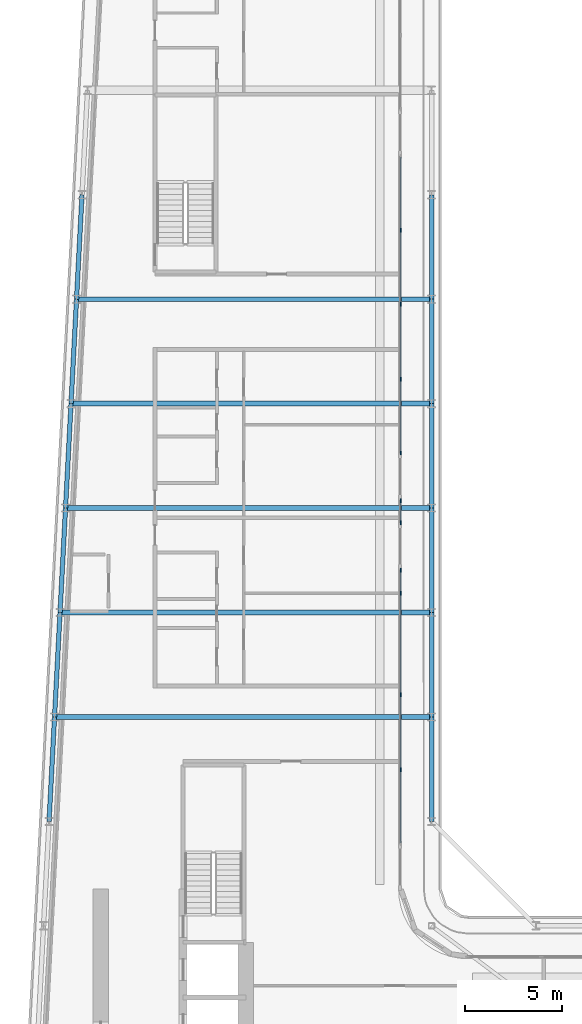
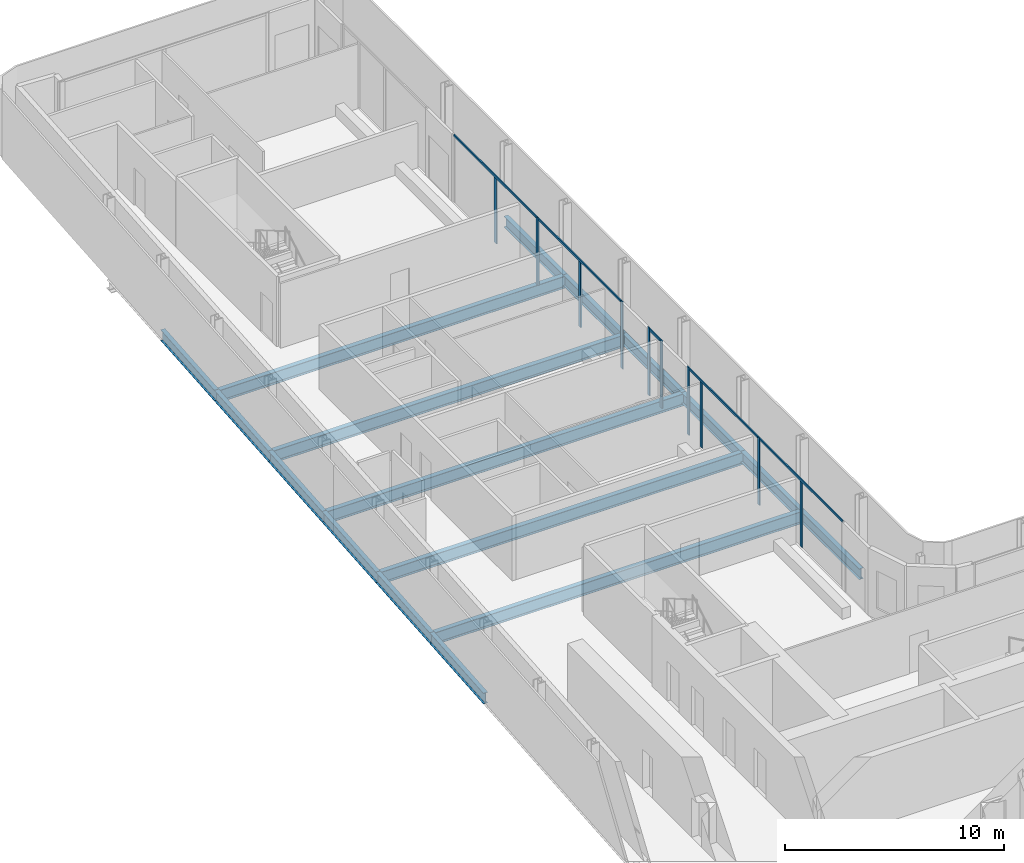
# One storey, part 9 of 29: 17 beams, 15 members, 5 elements without a shape of their own.
"""IFC4 building model written with IfcOpenShell, lengths in metres."""

from ifc_helpers import new_model, si_unit, direction, frame, origin, origin_2d, place, context, subcontext, project, spatial, rectangle, i_section, extrude, material, layer, layer_set, material_profile, profile_set, type_object, element, aggregate, save


model = new_model("IFC4")

# Units and contexts
model_context = context("Model", 3, precision=1e-05, world=origin(), true_north=direction((0.0, 1.0)))
body_context = subcontext(model_context, "Body", "Model", "MODEL_VIEW")
ifc_project = project(units=[si_unit("LENGTHUNIT", "METRE"), si_unit("AREAUNIT", "SQUARE_METRE"), si_unit("VOLUMEUNIT", "CUBIC_METRE"), si_unit("PLANEANGLEUNIT", "RADIAN"), si_unit("MASSUNIT", "GRAM", prefix="KILO")], contexts=[model_context])

# Site, building, storey
site_placement = place(None, origin())
site = spatial("IfcSite", under=ifc_project, at=site_placement, CompositionType="ELEMENT")
building_placement = place(site_placement, origin())
building = spatial("IfcBuilding", under=site, at=building_placement, Name="Kheshtan School and Residences Tower", CompositionType="ELEMENT")
storey_placement = place(building_placement, frame((0.0, 0.0, 179.89990234375)))
storey = spatial("IfcBuildingStorey", under=building, at=storey_placement, Name="L42", CompositionType="ELEMENT", Elevation=179.89990234375)

# Beams
ifc_material_1 = material(Name="Steel ASTM A992 Grade 50", Category="steel")
ifc_material_profile_1 = material_profile(ifc_material_1, i_section(OverallWidth=0.2529296875, OverallDepth=0.677978515625, WebThickness=0.01171875, FlangeThickness=0.016357421875, FilletRadius=0.0146484375, at=origin_2d()), Name="W690x125")
ifc_profile_set_1 = profile_set([ifc_material_profile_1], Name="Steel ASTM A992 Grade 50")
beam_type_1 = type_object("IfcBeamType", Name="Beam FB6 W690x125 ASTM A992 Grade 50", PredefinedType="BEAM", material=ifc_profile_set_1)
beam_1_placement = place(storey_placement, frame((47.60009765625, 78.0, -0.489013671875), z_axis=(-1.0, 0.0, 0.0), x_axis=(0.0, -1.0, 0.0)))
element("IfcBeam", 1, at=beam_1_placement, inside=storey, type_object=beam_type_1, Name="Floor beam C089", PredefinedType="BEAM", context=body_context, shape_type="SweptSolid", body=[
    extrude(i_section(OverallWidth=0.2529296875, OverallDepth=0.677978515625, WebThickness=0.01171875, FlangeThickness=0.016357421875, FilletRadius=0.0146484375, at=origin_2d()), origin(), (0.0, 0.0, 1.0), 18.357177734375),
])
beam_2_placement = place(storey_placement, frame((47.60009765625, 67.199951171875, -0.489013671875), z_axis=(-1.0, 0.0, 0.0), x_axis=(0.0, -1.0, 0.0)))
element("IfcBeam", 2, at=beam_2_placement, inside=storey, type_object=beam_type_1, Name="Floor beam C085", PredefinedType="BEAM", context=body_context, shape_type="SweptSolid", body=[
    extrude(i_section(OverallWidth=0.2529296875, OverallDepth=0.677978515625, WebThickness=0.01171875, FlangeThickness=0.016357421875, FilletRadius=0.0146484375, at=origin_2d()), origin(), (0.0, 0.0, 1.0), 18.926025390625),
])
beam_3_placement = place(storey_placement, frame((47.60009765625, 56.39990234375, -0.489013671875), z_axis=(-1.0, 0.0, 0.0), x_axis=(0.0, -1.0, 0.0)))
element("IfcBeam", 3, at=beam_3_placement, inside=storey, type_object=beam_type_1, Name="Floor beam C081", PredefinedType="BEAM", context=body_context, shape_type="SweptSolid", body=[
    extrude(i_section(OverallWidth=0.2529296875, OverallDepth=0.677978515625, WebThickness=0.01171875, FlangeThickness=0.016357421875, FilletRadius=0.0146484375, at=origin_2d()), origin(), (0.0, 0.0, 1.0), 19.494140625),
])
beam_4_placement = place(storey_placement, frame((28.389892578125, 61.800048828125, -0.489013671875), z_axis=(1.0, 0.0, 0.0), x_axis=(0.0, 1.0, 0.0)))
element("IfcBeam", 4, at=beam_4_placement, inside=storey, type_object=beam_type_1, Name="Floor beam C082", PredefinedType="BEAM", context=body_context, shape_type="SweptSolid", body=[
    extrude(i_section(OverallWidth=0.2529296875, OverallDepth=0.677978515625, WebThickness=0.01171875, FlangeThickness=0.016357421875, FilletRadius=0.0146484375, at=origin_2d()), origin(), (0.0, 0.0, 1.0), 19.210205078125),
])
beam_5_placement = place(storey_placement, frame((28.9580078125, 72.60009765625, -0.489013671875), z_axis=(1.0, 0.0, 0.0), x_axis=(0.0, 1.0, 0.0)))
element("IfcBeam", 5, at=beam_5_placement, inside=storey, type_object=beam_type_1, Name="Floor beam C086", PredefinedType="BEAM", context=body_context, shape_type="SweptSolid", body=[
    extrude(i_section(OverallWidth=0.2529296875, OverallDepth=0.677978515625, WebThickness=0.01171875, FlangeThickness=0.016357421875, FilletRadius=0.0146484375, at=origin_2d()), origin(), (0.0, 0.0, 1.0), 18.64208984375),
])
ifc_material_profile_2 = material_profile(ifc_material_1, i_section(OverallWidth=0.22802734375, OverallDepth=0.60302734375, WebThickness=0.010498046875, FlangeThickness=0.014892578125, FilletRadius=0.013427734375, at=origin_2d()), Name="W610x101")
ifc_profile_set_2 = profile_set([ifc_material_profile_2], Name="Steel ASTM A992 Grade 50")
beam_type_2 = type_object("IfcBeamType", Name="Beam SP2 W610x101 ASTM A992 Grade 50", PredefinedType="BEAM", material=ifc_profile_set_2)
for number, where, z_axis, x_axis, name in (
    (6, (47.60009765625, 83.39990234375, -0.451416015625), (0.0, -1.0, 0.0), (1.0, 0.0, 0.0), "Spandrel beam C091-C089"),
    (7, (47.60009765625, 78.0, -0.451416015625), (0.0, -1.0, 0.0), (1.0, 0.0, 0.0), "Spandrel beam C089-C087"),
):
    element("IfcBeam", number, at=place(storey_placement, frame(where, z_axis=z_axis, x_axis=x_axis)), inside=storey, type_object=beam_type_2, Name=name, PredefinedType="BEAM", context=body_context, shape_type="SweptSolid", body=[
        extrude(i_section(OverallWidth=0.22802734375, OverallDepth=0.60302734375, WebThickness=0.010498046875, FlangeThickness=0.014892578125, FilletRadius=0.013427734375, at=origin_2d()), origin(), (0.0, 0.0, 1.0), 5.39990234375),
    ])
beam_6_placement = place(storey_placement, frame((47.60009765625, 72.60009765625, -0.451416015625), z_axis=(0.0, -1.0, 0.0), x_axis=(1.0, 0.0, 0.0)))
element("IfcBeam", 8, at=beam_6_placement, inside=storey, type_object=beam_type_2, Name="Spandrel beam C087-C085", PredefinedType="BEAM", context=body_context, shape_type="SweptSolid", body=[
    extrude(i_section(OverallWidth=0.22802734375, OverallDepth=0.60302734375, WebThickness=0.010498046875, FlangeThickness=0.014892578125, FilletRadius=0.013427734375, at=origin_2d()), origin(), (0.0, 0.0, 1.0), 5.400146484375),
])
beam_7_placement = place(storey_placement, frame((47.60009765625, 67.199951171875, -0.451416015625), z_axis=(0.0, -1.0, 0.0), x_axis=(1.0, 0.0, 0.0)))
element("IfcBeam", 9, at=beam_7_placement, inside=storey, type_object=beam_type_2, Name="Spandrel beam C085-C083", PredefinedType="BEAM", context=body_context, shape_type="SweptSolid", body=[
    extrude(i_section(OverallWidth=0.22802734375, OverallDepth=0.60302734375, WebThickness=0.010498046875, FlangeThickness=0.014892578125, FilletRadius=0.013427734375, at=origin_2d()), origin(), (0.0, 0.0, 1.0), 5.39990234375),
])
beam_8_placement = place(storey_placement, frame((47.60009765625, 61.800048828125, -0.451416015625), z_axis=(0.0, -1.0, 0.0), x_axis=(1.0, 0.0, 0.0)))
element("IfcBeam", 10, at=beam_8_placement, inside=storey, type_object=beam_type_2, Name="Spandrel beam C083-C081", PredefinedType="BEAM", context=body_context, shape_type="SweptSolid", body=[
    extrude(i_section(OverallWidth=0.22802734375, OverallDepth=0.60302734375, WebThickness=0.010498046875, FlangeThickness=0.014892578125, FilletRadius=0.013427734375, at=origin_2d()), origin(), (0.0, 0.0, 1.0), 5.400146484375),
])
beam_9_placement = place(storey_placement, frame((47.60009765625, 56.39990234375, -0.451416015625), z_axis=(0.0, -1.0, 0.0), x_axis=(1.0, 0.0, 0.0)))
element("IfcBeam", 11, at=beam_9_placement, inside=storey, type_object=beam_type_2, Name="Spandrel beam C081-C079", PredefinedType="BEAM", context=body_context, shape_type="SweptSolid", body=[
    extrude(i_section(OverallWidth=0.22802734375, OverallDepth=0.60302734375, WebThickness=0.010498046875, FlangeThickness=0.014892578125, FilletRadius=0.013427734375, at=origin_2d()), origin(), (0.0, 0.0, 1.0), 5.39990234375),
])
beam_10_placement = place(storey_placement, frame((27.822021484375, 51.0, -0.451416015625), z_axis=(0.05250906864, 0.998620447272, 0.0), x_axis=(-0.998620447272, 0.05250906864, 0.0)))
element("IfcBeam", 12, at=beam_10_placement, inside=storey, type_object=beam_type_2, Name="Spandrel beam C078-C080", PredefinedType="BEAM", context=body_context, shape_type="SweptSolid", body=[
    extrude(i_section(OverallWidth=0.22802734375, OverallDepth=0.60302734375, WebThickness=0.010498046875, FlangeThickness=0.014892578125, FilletRadius=0.013427734375, at=origin_2d()), origin(), (0.0, 0.0, 1.0), 5.407470703125),
])
beam_11_placement = place(storey_placement, frame((28.10595703125, 56.39990234375, -0.451416015625), z_axis=(0.05250670125, 0.998620571751, 0.0), x_axis=(-0.998620571751, 0.05250670125, 0.0)))
element("IfcBeam", 13, at=beam_11_placement, inside=storey, type_object=beam_type_2, Name="Spandrel beam C080-C082", PredefinedType="BEAM", context=body_context, shape_type="SweptSolid", body=[
    extrude(i_section(OverallWidth=0.22802734375, OverallDepth=0.60302734375, WebThickness=0.010498046875, FlangeThickness=0.014892578125, FilletRadius=0.013427734375, at=origin_2d()), origin(), (0.0, 0.0, 1.0), 5.40771484375),
])
beam_12_placement = place(storey_placement, frame((28.389892578125, 61.800048828125, -0.451416015625), z_axis=(0.052554093665, 0.998618078766, 0.0), x_axis=(-0.998618078766, 0.052554093665, 0.0)))
element("IfcBeam", 14, at=beam_12_placement, inside=storey, type_object=beam_type_2, Name="Spandrel beam C082-C084", PredefinedType="BEAM", context=body_context, shape_type="SweptSolid", body=[
    extrude(i_section(OverallWidth=0.22802734375, OverallDepth=0.60302734375, WebThickness=0.010498046875, FlangeThickness=0.014892578125, FilletRadius=0.013427734375, at=origin_2d()), origin(), (0.0, 0.0, 1.0), 5.407470703125),
])
beam_13_placement = place(storey_placement, frame((28.674072265625, 67.199951171875, -0.451416015625), z_axis=(0.05250670125, 0.998620571751, 0.0), x_axis=(-0.998620571751, 0.05250670125, 0.0)))
element("IfcBeam", 15, at=beam_13_placement, inside=storey, type_object=beam_type_2, Name="Spandrel beam C084-C086", PredefinedType="BEAM", context=body_context, shape_type="SweptSolid", body=[
    extrude(i_section(OverallWidth=0.22802734375, OverallDepth=0.60302734375, WebThickness=0.010498046875, FlangeThickness=0.014892578125, FilletRadius=0.013427734375, at=origin_2d()), origin(), (0.0, 0.0, 1.0), 5.40771484375),
])
for number, where, z_axis, x_axis, name in (
    (16, (28.9580078125, 72.60009765625, -0.451416015625), (0.052689166816, 0.998610961136, 0.0), (-0.998610961136, 0.052689166816, 0.0), "Spandrel beam C086-C088"),
    (17, (29.242919921875, 78.0, -0.451416015625), (0.052554093665, 0.998618078766, 0.0), (-0.998618078766, 0.052554093665, 0.0), "Spandrel beam C088-C090"),
):
    element("IfcBeam", number, at=place(storey_placement, frame(where, z_axis=z_axis, x_axis=x_axis)), inside=storey, type_object=beam_type_2, Name=name, PredefinedType="BEAM", context=body_context, shape_type="SweptSolid", body=[
        extrude(i_section(OverallWidth=0.22802734375, OverallDepth=0.60302734375, WebThickness=0.010498046875, FlangeThickness=0.014892578125, FilletRadius=0.013427734375, at=origin_2d()), origin(), (0.0, 0.0, 1.0), 5.407470703125),
    ])

# Curtain wall, members
ifc_material_2 = material(Name="Clear low-e glass in thermally broken aluminium frame", Category="aluminium")
ifc_layer = layer(ifc_material_2, 0.199951171875)
ifc_layer_set = layer_set([ifc_layer], Name="Curtain wall CW-L")
curtain_wall_type = type_object("IfcCurtainWallType", Name="Curtain wall CW-L", PredefinedType="NOTDEFINED", material=ifc_layer_set)
curtain_wall_1_placement = place(storey_placement, origin())
curtain_wall_1 = element("IfcCurtainWall", 18, at=curtain_wall_1_placement, inside=storey, type_object=curtain_wall_type, Name="Curtain wall CWL8", PredefinedType="NOTDEFINED")
ifc_material_3 = material(Name="Thermally broken aluminium, dark bronze anodised", Category="aluminium")
ifc_material_profile_3 = material_profile(ifc_material_3, rectangle(XDim=0.06005859375, YDim=0.199951171875, at=origin_2d()), Name="CW-L mullion 60x200")
ifc_profile_set_3 = profile_set([ifc_material_profile_3], Name="Thermally broken aluminium, dark bronze anodised")
member_type_1 = type_object("IfcMemberType", Name="CW-L mullion 60x200", PredefinedType="MULLION", material=ifc_profile_set_3)
member_1_placement = place(storey_placement, frame((46.0, 81.55908203125, 0.0), z_axis=(0.0, 0.0, 1.0), x_axis=(1.0, 0.0, 0.0)))
member_1 = element("IfcMember", 19, at=member_1_placement, type_object=member_type_1, Name="CWL8 mullion 2", PredefinedType="MULLION", context=body_context, shape_type="SweptSolid", body=[
    extrude(rectangle(XDim=0.06005859375, YDim=0.199951171875, at=origin_2d()), origin(), (0.0, 0.0, 1.0), 3.630126953125),
])
member_2_placement = place(storey_placement, frame((46.0, 77.741943359375, 0.0), z_axis=(0.0, 0.0, 1.0), x_axis=(1.0, 0.0, 0.0)))
member_2 = element("IfcMember", 20, at=member_2_placement, type_object=member_type_1, Name="CWL8 mullion 3", PredefinedType="MULLION", context=body_context, shape_type="SweptSolid", body=[
    extrude(rectangle(XDim=0.06005859375, YDim=0.199951171875, at=origin_2d()), origin(), (0.0, 0.0, 1.0), 3.75),
])

curtain_wall_2_placement = place(storey_placement, origin())
curtain_wall_2 = element("IfcCurtainWall", 21, at=curtain_wall_2_placement, inside=storey, type_object=curtain_wall_type, Name="Curtain wall CWL8", PredefinedType="NOTDEFINED")
member_3_placement = place(storey_placement, frame((46.0, 73.864990234375, 0.0), z_axis=(0.0, 0.0, 1.0), x_axis=(1.0, 0.0, 0.0)))
member_3 = element("IfcMember", 22, at=member_3_placement, type_object=member_type_1, Name="CWL8 mullion 2", PredefinedType="MULLION", context=body_context, shape_type="SweptSolid", body=[
    extrude(rectangle(XDim=0.06005859375, YDim=0.199951171875, at=origin_2d()), origin(), (0.0, 0.0, 1.0), 3.630126953125),
])
member_4_placement = place(storey_placement, frame((46.0, 70.048095703125, 0.0), z_axis=(0.0, 0.0, 1.0), x_axis=(1.0, 0.0, 0.0)))
member_4 = element("IfcMember", 23, at=member_4_placement, type_object=member_type_1, Name="CWL8 mullion 3", PredefinedType="MULLION", context=body_context, shape_type="SweptSolid", body=[
    extrude(rectangle(XDim=0.06005859375, YDim=0.199951171875, at=origin_2d()), origin(), (0.0, 0.0, 1.0), 3.75),
])

curtain_wall_3_placement = place(storey_placement, origin())
curtain_wall_3 = element("IfcCurtainWall", 24, at=curtain_wall_3_placement, inside=storey, type_object=curtain_wall_type, Name="Curtain wall CWL8g", PredefinedType="NOTDEFINED")
member_5_placement = place(storey_placement, frame((46.0, 67.587890625, 0.0), z_axis=(0.0, 0.0, 1.0), x_axis=(1.0, 0.0, 0.0)))
member_5 = element("IfcMember", 25, at=member_5_placement, type_object=member_type_1, Name="CWL8g mullion 1", PredefinedType="MULLION", context=body_context, shape_type="SweptSolid", body=[
    extrude(rectangle(XDim=0.06005859375, YDim=0.199951171875, at=origin_2d()), origin(), (0.0, 0.0, 1.0), 3.75),
])
member_6_placement = place(storey_placement, frame((46.0, 66.447998046875, 0.0), z_axis=(0.0, 0.0, 1.0), x_axis=(1.0, 0.0, 0.0)))
member_6 = element("IfcMember", 26, at=member_6_placement, type_object=member_type_1, Name="CWL8g mullion 2", PredefinedType="MULLION", context=body_context, shape_type="SweptSolid", body=[
    extrude(rectangle(XDim=0.06005859375, YDim=0.199951171875, at=origin_2d()), origin(), (0.0, 0.0, 1.0), 3.75),
])

curtain_wall_4_placement = place(storey_placement, origin())
curtain_wall_4 = element("IfcCurtainWall", 27, at=curtain_wall_4_placement, inside=storey, type_object=curtain_wall_type, Name="Curtain wall CWL8k", PredefinedType="NOTDEFINED")
member_7_placement = place(storey_placement, frame((46.0, 63.988037109375, 0.0), z_axis=(0.0, 0.0, 1.0), x_axis=(1.0, 0.0, 0.0)))
member_7 = element("IfcMember", 28, at=member_7_placement, type_object=member_type_1, Name="CWL8k mullion 1", PredefinedType="MULLION", context=body_context, shape_type="SweptSolid", body=[
    extrude(rectangle(XDim=0.06005859375, YDim=0.199951171875, at=origin_2d()), origin(), (0.0, 0.0, 1.0), 3.75),
])
member_8_placement = place(storey_placement, frame((46.0, 62.800048828125, 0.0), z_axis=(0.0, 0.0, 1.0), x_axis=(1.0, 0.0, 0.0)))
member_8 = element("IfcMember", 29, at=member_8_placement, type_object=member_type_1, Name="CWL8k mullion 2", PredefinedType="MULLION", context=body_context, shape_type="SweptSolid", body=[
    extrude(rectangle(XDim=0.06005859375, YDim=0.199951171875, at=origin_2d()), origin(), (0.0, 0.0, 1.0), 3.630126953125),
])
member_9_placement = place(storey_placement, frame((46.0, 57.553955078125, 0.0), z_axis=(0.0, 0.0, 1.0), x_axis=(1.0, 0.0, 0.0)))
member_9 = element("IfcMember", 30, at=member_9_placement, type_object=member_type_1, Name="CWL8k mullion 3", PredefinedType="MULLION", context=body_context, shape_type="SweptSolid", body=[
    extrude(rectangle(XDim=0.06005859375, YDim=0.199951171875, at=origin_2d()), origin(), (0.0, 0.0, 1.0), 3.75),
])

# Curtain wall, member
curtain_wall_5_placement = place(storey_placement, origin())
curtain_wall_5 = element("IfcCurtainWall", 31, at=curtain_wall_5_placement, inside=storey, type_object=curtain_wall_type, Name="Curtain wall CWL8", PredefinedType="NOTDEFINED")
member_10_placement = place(storey_placement, frame((46.0, 53.677001953125, 0.0), z_axis=(0.0, 0.0, 1.0), x_axis=(1.0, 0.0, 0.0)))
member_10 = element("IfcMember", 32, at=member_10_placement, type_object=member_type_1, Name="CWL8 mullion 2", PredefinedType="MULLION", context=body_context, shape_type="SweptSolid", body=[
    extrude(rectangle(XDim=0.06005859375, YDim=0.199951171875, at=origin_2d()), origin(), (0.0, 0.0, 1.0), 3.630126953125),
])

# Member
ifc_material_profile_4 = material_profile(ifc_material_3, rectangle(XDim=0.06005859375, YDim=0.1201171875, at=origin_2d()), Name="CW-L transom 60x120")
ifc_profile_set_4 = profile_set([ifc_material_profile_4], Name="Thermally broken aluminium, dark bronze anodised")
member_type_2 = type_object("IfcMemberType", Name="CW-L transom 60x120", PredefinedType="USERDEFINED", material=ifc_profile_set_4)
member_11_placement = place(storey_placement, frame((46.0, 85.345947265625, 3.690185546875), z_axis=(0.0, -1.0, 0.0), x_axis=(1.0, 0.0, 0.0)))
member_11 = element("IfcMember", 33, at=member_11_placement, type_object=member_type_2, Name="CWL8 transom 1", ObjectType="TRANSOM", PredefinedType="USERDEFINED", context=body_context, shape_type="SweptSolid", body=[
    extrude(rectangle(XDim=0.06005859375, YDim=0.1201171875, at=origin_2d()), origin(), (0.0, 0.0, 1.0), 7.573974609375),
])

aggregate(curtain_wall_1, [member_1, member_2, member_11])

member_12_placement = place(storey_placement, frame((46.0, 77.7119140625, 3.690185546875), z_axis=(0.0, -1.0, 0.0), x_axis=(1.0, 0.0, 0.0)))
member_12 = element("IfcMember", 34, at=member_12_placement, type_object=member_type_2, Name="CWL8 transom 1", ObjectType="TRANSOM", PredefinedType="USERDEFINED", context=body_context, shape_type="SweptSolid", body=[
    extrude(rectangle(XDim=0.06005859375, YDim=0.1201171875, at=origin_2d()), origin(), (0.0, 0.0, 1.0), 7.634033203125),
])

aggregate(curtain_wall_2, [member_3, member_4, member_12])

member_13_placement = place(storey_placement, frame((46.0, 67.55810546875, 3.690185546875), z_axis=(0.0, -1.0, 0.0), x_axis=(1.0, 0.0, 0.0)))
member_13 = element("IfcMember", 35, at=member_13_placement, type_object=member_type_2, Name="CWL8g transom 1", ObjectType="TRANSOM", PredefinedType="USERDEFINED", context=body_context, shape_type="SweptSolid", body=[
    extrude(rectangle(XDim=0.06005859375, YDim=0.1201171875, at=origin_2d()), origin(), (0.0, 0.0, 1.0), 1.080078125),
])

aggregate(curtain_wall_3, [member_5, member_6, member_13])

member_14_placement = place(storey_placement, frame((46.0, 63.9580078125, 3.690185546875), z_axis=(0.0, -1.0, 0.0), x_axis=(1.0, 0.0, 0.0)))
member_14 = element("IfcMember", 36, at=member_14_placement, type_object=member_type_2, Name="CWL8k transom 1", ObjectType="TRANSOM", PredefinedType="USERDEFINED", context=body_context, shape_type="SweptSolid", body=[
    extrude(rectangle(XDim=0.06005859375, YDim=0.1201171875, at=origin_2d()), origin(), (0.0, 0.0, 1.0), 6.3740234375),
])

aggregate(curtain_wall_4, [member_7, member_8, member_9, member_14])

member_15_placement = place(storey_placement, frame((46.0, 57.52392578125, 3.690185546875), z_axis=(0.0, -1.0, 0.0), x_axis=(1.0, 0.0, 0.0)))
member_15 = element("IfcMember", 37, at=member_15_placement, type_object=member_type_2, Name="CWL8 transom 1", ObjectType="TRANSOM", PredefinedType="USERDEFINED", context=body_context, shape_type="SweptSolid", body=[
    extrude(rectangle(XDim=0.06005859375, YDim=0.1201171875, at=origin_2d()), origin(), (0.0, 0.0, 1.0), 7.634033203125),
])

aggregate(curtain_wall_5, [member_10, member_15])

save(model, "model.ifc")
